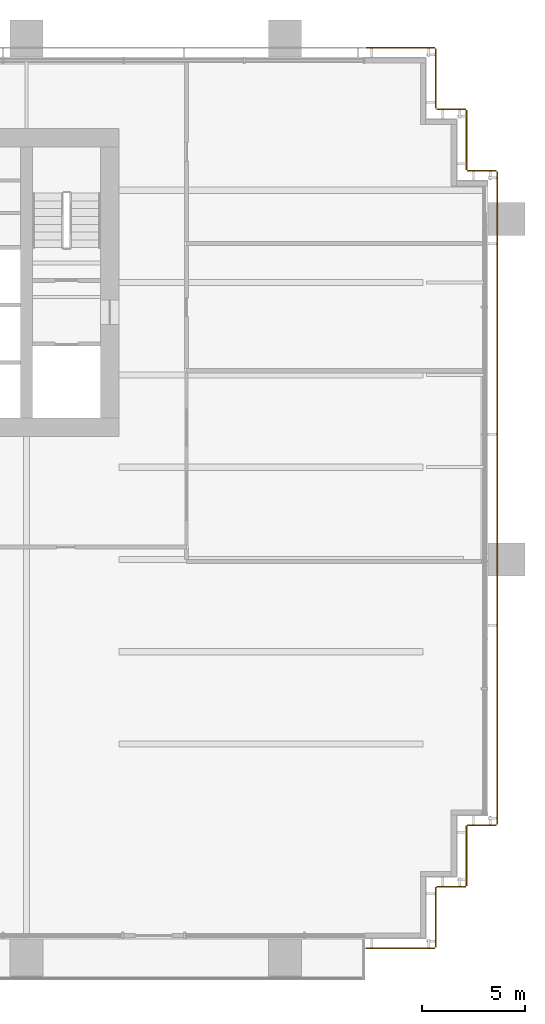
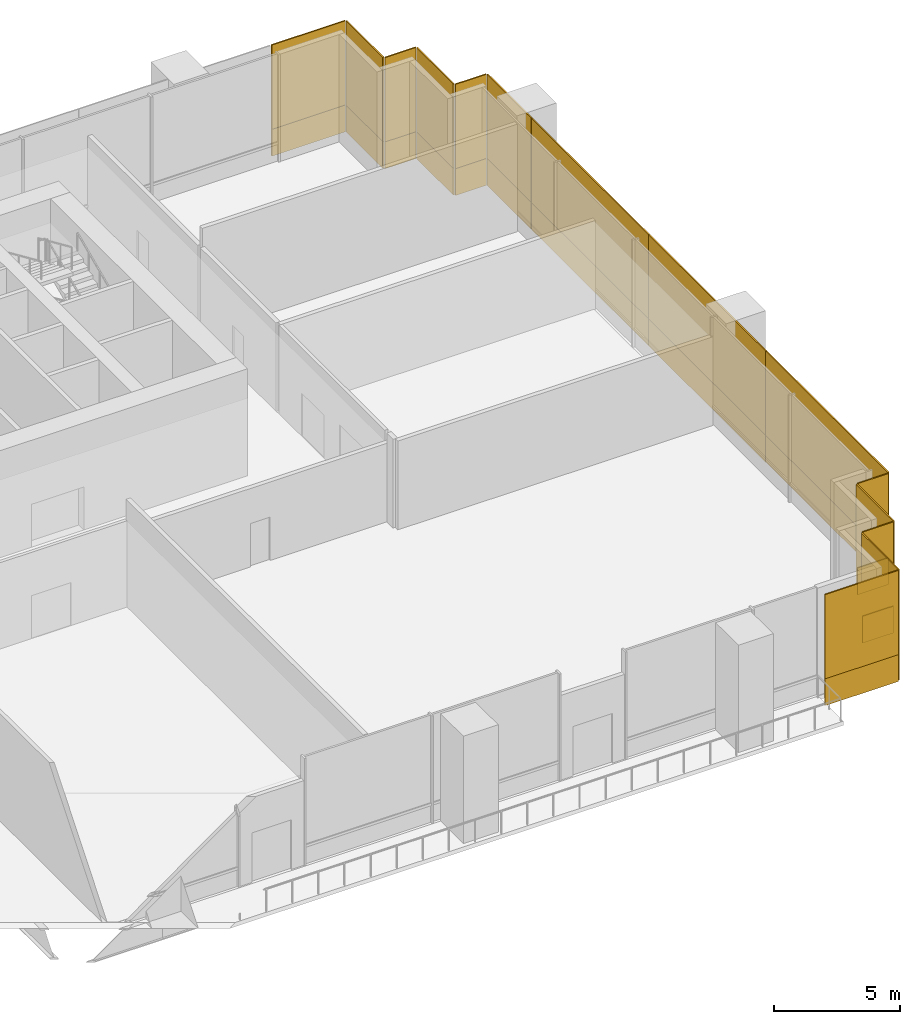
# One storey, part 15 of 15: 28 coverings.
"""IFC4 building model written with IfcOpenShell, lengths in metres."""

import ifcopenshell
import ifcopenshell.guid

model = None  # the IFC model being written
_history = None  # IfcOwnerHistory: only IFC2X3 demands one
_inside = {}  # id of a spatial element -> (the spatial element, [elements in it])
_under = {}  # id of a project, library or spatial element -> (it, [spatial elements below it])
_declared = {}  # id of a project -> (the project, [libraries it declares])
_typed = {}  # id of a type object -> (the type object, [elements of that type])
_made_of = {}  # id of a material, layer set ... -> (it, [elements and type objects made of it])


def new_model(schema):
    """Start an empty IFC model of exactly this schema.

    Asked for "IFC4X3", IfcOpenShell would pick the latest addendum, in which some entities
    have other attributes; the version numbers below select the first issue.
    IFC2X3 requires an IfcOwnerHistory on every rooted entity: one is made here for all.
    """
    global model, _history
    if schema == "IFC4X3":
        model = ifcopenshell.file(schema_version=(4, 3, 0, 0))
    else:
        model = ifcopenshell.file(schema=schema)
    _inside.clear()
    _under.clear()
    _declared.clear()
    _typed.clear()
    _made_of.clear()
    _history = None
    if model.schema == "IFC2X3":
        org = make("IfcOrganization", Name="unknown")
        user = make(
            "IfcPersonAndOrganization",
            ThePerson=make("IfcPerson", FamilyName="unknown"),
            TheOrganization=org,
        )
        app = make(
            "IfcApplication",
            ApplicationDeveloper=org,
            Version="unknown",
            ApplicationFullName="unknown",
            ApplicationIdentifier="unknown",
        )
        _history = make(
            "IfcOwnerHistory",
            OwningUser=user,
            OwningApplication=app,
            ChangeAction="ADDED",
            CreationDate=0,
        )
    return model


def make(cls, **values):
    """One entity of the class cls with the attributes given. An attribute that is None is left unset."""
    return model.create_entity(
        cls, **{name: value for name, value in values.items() if value is not None}
    )


def rooted(cls, **values):
    """An entity with a GlobalId (a new one), such as an element, a storey or a relation."""
    return make(cls, GlobalId=ifcopenshell.guid.new(), OwnerHistory=_history, **values)


def si_unit(unit_type, name, prefix=None):
    """IfcSIUnit, for example si_unit("LENGTHUNIT", "METRE", prefix="MILLI")."""
    return make("IfcSIUnit", UnitType=unit_type, Prefix=prefix, Name=name)


def assignment(units):
    """IfcUnitAssignment: the units of a project."""
    return None if units is None else make("IfcUnitAssignment", Units=units)


def point(xyz):
    """IfcCartesianPoint."""
    return None if xyz is None else make("IfcCartesianPoint", Coordinates=xyz)


def direction(xyz):
    """IfcDirection."""
    return None if xyz is None else make("IfcDirection", DirectionRatios=xyz)


def frame(location, z_axis=None, x_axis=None):
    """IfcAxis2Placement3D, a coordinate frame: its origin and axes. An axis left out is left unset."""
    return make(
        "IfcAxis2Placement3D",
        Location=point(location),
        Axis=direction(z_axis),
        RefDirection=direction(x_axis),
    )


def frame_2d(location, x_axis=None):
    """IfcAxis2Placement2D, a coordinate frame in the plane: its origin and x axis."""
    return make(
        "IfcAxis2Placement2D", Location=point(location), RefDirection=direction(x_axis)
    )


def origin():
    """The frame at (0, 0, 0) with its axes left unset."""
    return frame((0.0, 0.0, 0.0))


def origin_2d():
    """The frame at (0, 0) in the plane with its x axis left unset."""
    return frame_2d((0.0, 0.0))


def place(relative_to, where):
    """IfcLocalPlacement: puts the frame where relative to a parent placement (None: the world)."""
    return make(
        "IfcLocalPlacement", PlacementRelTo=relative_to, RelativePlacement=where
    )


def context(
    kind, dimensions, precision=None, world=None, true_north=None, identifier=None
):
    """IfcGeometricRepresentationContext, for example the 3D "Model" context."""
    return make(
        "IfcGeometricRepresentationContext",
        ContextIdentifier=identifier,
        ContextType=kind,
        CoordinateSpaceDimension=dimensions,
        Precision=precision,
        WorldCoordinateSystem=world,
        TrueNorth=true_north,
    )


def subcontext(parent, identifier, kind, view, scale=None):
    """IfcGeometricRepresentationSubContext, for example "Body" below "Model"."""
    return make(
        "IfcGeometricRepresentationSubContext",
        ContextIdentifier=identifier,
        ContextType=kind,
        ParentContext=parent,
        TargetScale=scale,
        TargetView=view,
    )


def project(units=None, contexts=None):
    """IfcProject with its units and contexts."""
    return rooted(
        "IfcProject",
        Name="project",
        RepresentationContexts=contexts,
        UnitsInContext=assignment(units),
    )


def spatial(cls, under=None, at=None, **own):
    """A site, building, storey or space (cls), placed at a placement, below another one or the project."""
    s = rooted(cls, ObjectPlacement=at, **own)
    if under is not None:
        _under.setdefault(under.id(), (under, []))[1].append(s)
    return s


def profile(cls, at=None, kind="AREA", **sizes):
    """A parametric profile (cls). Its sizes go by their IFC names, for example OverallWidth=200.0."""
    return make(cls, ProfileType=kind, Position=at, **sizes)


def rectangle(**sizes):
    """IfcRectangleProfileDef."""
    return profile("IfcRectangleProfileDef", **sizes)


def extrude(swept, where, along, depth):
    """IfcExtrudedAreaSolid: the profile swept, set in the frame where, extruded along a direction by depth."""
    return make(
        "IfcExtrudedAreaSolid",
        SweptArea=swept,
        Position=where,
        ExtrudedDirection=direction(along),
        Depth=depth,
    )


def shape(context_of_items, identifier, shape_type, items):
    """IfcShapeRepresentation: the items that make up one representation, for example the "Body"."""
    return make(
        "IfcShapeRepresentation",
        ContextOfItems=context_of_items,
        RepresentationIdentifier=identifier,
        RepresentationType=shape_type,
        Items=items,
    )


def material(Name=None, Category=None):
    """IfcMaterial."""
    return make("IfcMaterial", Name=Name, Category=Category)


def layer(
    of_material, thickness, ventilated=None, Name=None, Category=None, Priority=None
):
    """IfcMaterialLayer: one layer of a wall or slab, of a material (None: an air gap)."""
    return make(
        "IfcMaterialLayer",
        Material=of_material,
        LayerThickness=thickness,
        IsVentilated=ventilated,
        Name=Name,
        Category=Category,
        Priority=Priority,
    )


def layer_set(layers, Name=None):
    """IfcMaterialLayerSet."""
    return make("IfcMaterialLayerSet", MaterialLayers=layers, LayerSetName=Name)


def made_of(thing, what):
    """Note that an element or type object is made of a material, layer set ...; save() writes the relation."""
    if what is not None:
        _made_of.setdefault(what.id(), (what, []))[1].append(thing)
    return thing


def type_object(cls, material=None, **own):
    """A type object (cls), such as IfcWallType, which elements share."""
    return made_of(rooted(cls, **own), material)


def element(
    cls,
    number,
    at=None,
    inside=None,
    cuts=None,
    type_object=None,
    material=None,
    context=None,
    identifier="Body",
    shape_type=None,
    held_by="IfcProductDefinitionShape",
    body=None,
    shapes=None,
    **own,
):
    """One element of the class cls, such as IfcWall. Its Tag is "e" and its number.

    at: its placement. inside: the storey or other place that contains it. cuts: it is an
    opening in that element (IfcRelVoidsElement). A single representation is given by context,
    identifier, shape_type and body (its items); several are given by shapes. held_by: the class
    of the entity that holds the representations. save() writes the other relations.
    """
    e = rooted(cls, Tag="e%d" % number, ObjectPlacement=at, **own)
    if body is not None:
        shapes = [shape(context, identifier, shape_type, body)]
    if shapes is not None:
        e.Representation = make(held_by, Representations=shapes)
    if inside is not None:
        _inside.setdefault(inside.id(), (inside, []))[1].append(e)
    if cuts is not None:
        rooted(
            "IfcRelVoidsElement", RelatingBuildingElement=cuts, RelatedOpeningElement=e
        )
    if type_object is not None:
        _typed.setdefault(type_object.id(), (type_object, []))[1].append(e)
    return made_of(e, material)


def aggregate(whole, parts):
    """IfcRelAggregates: a whole, such as a stair, and the parts it consists of."""
    return rooted("IfcRelAggregates", RelatingObject=whole, RelatedObjects=parts)


def save(model, path):
    """Write the relations noted so far, then the file.

    IfcRelAggregates (storeys below a building ...), IfcRelContainedInSpatialStructure (elements
    in a storey), IfcRelDefinesByType, IfcRelAssociatesMaterial and IfcRelDeclares: one each for
    every whole, place, type object, material and project.
    """
    for whole, parts in _under.values():
        aggregate(whole, parts)
    for where, things in _inside.values():
        rooted(
            "IfcRelContainedInSpatialStructure",
            RelatedElements=things,
            RelatingStructure=where,
        )
    for kind, things in _typed.values():
        rooted("IfcRelDefinesByType", RelatedObjects=things, RelatingType=kind)
    for what, things in _made_of.values():
        rooted("IfcRelAssociatesMaterial", RelatedObjects=things, RelatingMaterial=what)
    for by, libraries in _declared.values():
        rooted("IfcRelDeclares", RelatingContext=by, RelatedDefinitions=libraries)
    model.write(path)


model = new_model("IFC4")

# Units and contexts
model_context = context("Model", 3, precision=1e-05, world=origin(), true_north=direction((0.0, 1.0)))
body_context = subcontext(model_context, "Body", "Model", "MODEL_VIEW")
ifc_project = project(units=[si_unit("LENGTHUNIT", "METRE"), si_unit("AREAUNIT", "SQUARE_METRE"), si_unit("VOLUMEUNIT", "CUBIC_METRE"), si_unit("PLANEANGLEUNIT", "RADIAN"), si_unit("MASSUNIT", "GRAM", prefix="KILO")], contexts=[model_context])

# Site, building, storey
site_placement = place(None, origin())
site = spatial("IfcSite", under=ifc_project, at=site_placement, CompositionType="ELEMENT")
building_placement = place(site_placement, origin())
building = spatial("IfcBuilding", under=site, at=building_placement, Name="Rattan Terrace Tower", CompositionType="ELEMENT")
storey_placement = place(building_placement, frame((0.0, 0.0, 74.300048828125)))
storey = spatial("IfcBuildingStorey", under=building, at=storey_placement, Name="L16", CompositionType="ELEMENT", Elevation=74.300048828125)

# Coverings
ifc_material_1 = material(Name="Solid terracotta", Category="masonry")
ifc_layer_1 = layer(ifc_material_1, 0.06005859375)
ifc_layer_set_1 = layer_set([ifc_layer_1], Name="Facade Terracotta Band Panel")
covering_type_1 = type_object("IfcCoveringType", Name="Facade Terracotta Band Panel", PredefinedType="CLADDING", material=ifc_layer_set_1)
covering_1_placement = place(storey_placement, frame((31.72509765625, -32.449951171875, -0.18994140625), z_axis=(0.0, 0.0, 1.0), x_axis=(1.0, 0.0, 0.0)))
element("IfcCovering", 1, at=covering_1_placement, inside=storey, type_object=covering_type_1, Name="OUTER SKIN panel L16-1A", PredefinedType="CLADDING", context=body_context, shape_type="SweptSolid", body=[
    extrude(rectangle(XDim=3.3701171875, YDim=0.06005859375, at=origin_2d()), origin(), (0.0, 0.0, 1.0), 1.300048828125),
])
covering_2_placement = place(storey_placement, frame((33.449951171875, -30.949951171875, -0.18994140625), z_axis=(0.0, 0.0, 1.0), x_axis=(0.0, 1.0, 0.0)))
element("IfcCovering", 2, at=covering_2_placement, inside=storey, type_object=covering_type_1, Name="OUTER SKIN panel L16-2A", PredefinedType="CLADDING", context=body_context, shape_type="SweptSolid", body=[
    extrude(rectangle(XDim=2.919921875, YDim=0.06005859375, at=origin_2d()), origin(), (0.0, 0.0, 1.0), 1.300048828125),
])
covering_3_placement = place(storey_placement, frame((34.199951171875, -29.449951171875, -0.18994140625), z_axis=(0.0, 0.0, 1.0), x_axis=(1.0, 0.0, 0.0)))
element("IfcCovering", 3, at=covering_3_placement, inside=storey, type_object=covering_type_1, Name="OUTER SKIN panel L16-3A", PredefinedType="CLADDING", context=body_context, shape_type="SweptSolid", body=[
    extrude(rectangle(XDim=1.419921875, YDim=0.06005859375, at=origin_2d()), origin(), (0.0, 0.0, 1.0), 1.300048828125),
])
covering_4_placement = place(storey_placement, frame((34.949951171875, -27.949951171875, -0.18994140625), z_axis=(0.0, 0.0, 1.0), x_axis=(0.0, 1.0, 0.0)))
element("IfcCovering", 4, at=covering_4_placement, inside=storey, type_object=covering_type_1, Name="OUTER SKIN panel L16-4A", PredefinedType="CLADDING", context=body_context, shape_type="SweptSolid", body=[
    extrude(rectangle(XDim=2.919921875, YDim=0.06005859375, at=origin_2d()), origin(), (0.0, 0.0, 1.0), 1.300048828125),
])
covering_5_placement = place(storey_placement, frame((35.699951171875, -26.449951171875, -0.18994140625), z_axis=(0.0, 0.0, 1.0), x_axis=(1.0, 0.0, 0.0)))
element("IfcCovering", 5, at=covering_5_placement, inside=storey, type_object=covering_type_1, Name="OUTER SKIN panel L16-5A", PredefinedType="CLADDING", context=body_context, shape_type="SweptSolid", body=[
    extrude(rectangle(XDim=1.419921875, YDim=0.06005859375, at=origin_2d()), origin(), (0.0, 0.0, 1.0), 1.300048828125),
])
covering_6_placement = place(storey_placement, frame((36.449951171875, -21.56005859375, -0.18994140625), z_axis=(0.0, 0.0, 1.0), x_axis=(0.0, 1.0, 0.0)))
element("IfcCovering", 6, at=covering_6_placement, inside=storey, type_object=covering_type_1, Name="OUTER SKIN panel L16-6A", PredefinedType="CLADDING", context=body_context, shape_type="SweptSolid", body=[
    extrude(rectangle(XDim=9.699951171875, YDim=0.06005859375, at=origin_2d()), origin(), (0.0, 0.0, 1.0), 1.300048828125),
])
for number, where, z_axis, x_axis, name in (
    (7, (36.449951171875, -12.050048828125, -0.18994140625), (0.0, 0.0, 1.0), (0.0, 1.0, 0.0), "OUTER SKIN panel L16-7A"),
    (8, (36.449951171875, -2.75, -0.18994140625), (0.0, 0.0, 1.0), (0.0, 1.0, 0.0), "OUTER SKIN panel L16-8A"),
):
    element("IfcCovering", number, at=place(storey_placement, frame(where, z_axis=z_axis, x_axis=x_axis)), inside=storey, type_object=covering_type_1, Name=name, PredefinedType="CLADDING", context=body_context, shape_type="SweptSolid", body=[
        extrude(rectangle(XDim=9.280029296875, YDim=0.06005859375, at=origin_2d()), origin(), (0.0, 0.0, 1.0), 1.300048828125),
    ])
covering_7_placement = place(storey_placement, frame((36.449951171875, 3.659912109375, -0.18994140625), z_axis=(0.0, 0.0, 1.0), x_axis=(0.0, 1.0, 0.0)))
element("IfcCovering", 9, at=covering_7_placement, inside=storey, type_object=covering_type_1, Name="OUTER SKIN panel L16-9A", PredefinedType="CLADDING", context=body_context, shape_type="SweptSolid", body=[
    extrude(rectangle(XDim=3.5, YDim=0.06005859375, at=origin_2d()), origin(), (0.0, 0.0, 1.0), 1.300048828125),
])
covering_8_placement = place(storey_placement, frame((35.699951171875, 5.449951171875, -0.18994140625), z_axis=(0.0, 0.0, 1.0), x_axis=(-1.0, 0.0, 0.0)))
element("IfcCovering", 10, at=covering_8_placement, inside=storey, type_object=covering_type_1, Name="OUTER SKIN panel L16-10A", PredefinedType="CLADDING", context=body_context, shape_type="SweptSolid", body=[
    extrude(rectangle(XDim=1.419921875, YDim=0.06005859375, at=origin_2d()), origin(), (0.0, 0.0, 1.0), 1.300048828125),
])
covering_9_placement = place(storey_placement, frame((34.949951171875, 6.949951171875, -0.18994140625), z_axis=(0.0, 0.0, 1.0), x_axis=(0.0, 1.0, 0.0)))
element("IfcCovering", 11, at=covering_9_placement, inside=storey, type_object=covering_type_1, Name="OUTER SKIN panel L16-11A", PredefinedType="CLADDING", context=body_context, shape_type="SweptSolid", body=[
    extrude(rectangle(XDim=2.919921875, YDim=0.06005859375, at=origin_2d()), origin(), (0.0, 0.0, 1.0), 1.300048828125),
])
covering_10_placement = place(storey_placement, frame((34.199951171875, 8.449951171875, -0.18994140625), z_axis=(0.0, 0.0, 1.0), x_axis=(-1.0, 0.0, 0.0)))
element("IfcCovering", 12, at=covering_10_placement, inside=storey, type_object=covering_type_1, Name="OUTER SKIN panel L16-12A", PredefinedType="CLADDING", context=body_context, shape_type="SweptSolid", body=[
    extrude(rectangle(XDim=1.419921875, YDim=0.06005859375, at=origin_2d()), origin(), (0.0, 0.0, 1.0), 1.300048828125),
])
covering_11_placement = place(storey_placement, frame((33.449951171875, 9.949951171875, -0.18994140625), z_axis=(0.0, 0.0, 1.0), x_axis=(0.0, 1.0, 0.0)))
element("IfcCovering", 13, at=covering_11_placement, inside=storey, type_object=covering_type_1, Name="OUTER SKIN panel L16-13A", PredefinedType="CLADDING", context=body_context, shape_type="SweptSolid", body=[
    extrude(rectangle(XDim=2.919921875, YDim=0.06005859375, at=origin_2d()), origin(), (0.0, 0.0, 1.0), 1.300048828125),
])
covering_12_placement = place(storey_placement, frame((31.72509765625, 11.449951171875, -0.18994140625), z_axis=(0.0, 0.0, 1.0), x_axis=(-1.0, 0.0, 0.0)))
element("IfcCovering", 14, at=covering_12_placement, inside=storey, type_object=covering_type_1, Name="OUTER SKIN panel L16-14A", PredefinedType="CLADDING", context=body_context, shape_type="SweptSolid", body=[
    extrude(rectangle(XDim=3.3701171875, YDim=0.06005859375, at=origin_2d()), origin(), (0.0, 0.0, 1.0), 1.300048828125),
])
ifc_material_2 = material(Name="Perforated terracotta", Category="masonry")
ifc_layer_2 = layer(ifc_material_2, 0.06005859375)
ifc_layer_set_2 = layer_set([ifc_layer_2], Name="Facade Terracotta Screen Panel")
covering_type_2 = type_object("IfcCoveringType", Name="Facade Terracotta Screen Panel", PredefinedType="CLADDING", material=ifc_layer_set_2)
covering_13_placement = place(storey_placement, frame((31.72509765625, -32.449951171875, 1.10986328125), z_axis=(0.0, 0.0, 1.0), x_axis=(1.0, 0.0, 0.0)))
element("IfcCovering", 15, at=covering_13_placement, inside=storey, type_object=covering_type_2, Name="OUTER SKIN panel L16-1B", PredefinedType="CLADDING", context=body_context, shape_type="SweptSolid", body=[
    extrude(rectangle(XDim=3.3701171875, YDim=0.06005859375, at=origin_2d()), origin(), (0.0, 0.0, 1.0), 4.080078125),
])
covering_14_placement = place(storey_placement, frame((33.449951171875, -30.949951171875, 1.10986328125), z_axis=(0.0, 0.0, 1.0), x_axis=(0.0, 1.0, 0.0)))
element("IfcCovering", 16, at=covering_14_placement, inside=storey, type_object=covering_type_2, Name="OUTER SKIN panel L16-2B", PredefinedType="CLADDING", context=body_context, shape_type="SweptSolid", body=[
    extrude(rectangle(XDim=2.919921875, YDim=0.06005859375, at=origin_2d()), origin(), (0.0, 0.0, 1.0), 4.080078125),
])
covering_15_placement = place(storey_placement, frame((34.199951171875, -29.449951171875, 1.10986328125), z_axis=(0.0, 0.0, 1.0), x_axis=(1.0, 0.0, 0.0)))
element("IfcCovering", 17, at=covering_15_placement, inside=storey, type_object=covering_type_2, Name="OUTER SKIN panel L16-3B", PredefinedType="CLADDING", context=body_context, shape_type="SweptSolid", body=[
    extrude(rectangle(XDim=1.419921875, YDim=0.06005859375, at=origin_2d()), origin(), (0.0, 0.0, 1.0), 4.080078125),
])
covering_16_placement = place(storey_placement, frame((34.949951171875, -27.949951171875, 1.10986328125), z_axis=(0.0, 0.0, 1.0), x_axis=(0.0, 1.0, 0.0)))
element("IfcCovering", 18, at=covering_16_placement, inside=storey, type_object=covering_type_2, Name="OUTER SKIN panel L16-4B", PredefinedType="CLADDING", context=body_context, shape_type="SweptSolid", body=[
    extrude(rectangle(XDim=2.919921875, YDim=0.06005859375, at=origin_2d()), origin(), (0.0, 0.0, 1.0), 4.080078125),
])
covering_17_placement = place(storey_placement, frame((35.699951171875, -26.449951171875, 1.10986328125), z_axis=(0.0, 0.0, 1.0), x_axis=(1.0, 0.0, 0.0)))
element("IfcCovering", 19, at=covering_17_placement, inside=storey, type_object=covering_type_2, Name="OUTER SKIN panel L16-5B", PredefinedType="CLADDING", context=body_context, shape_type="SweptSolid", body=[
    extrude(rectangle(XDim=1.419921875, YDim=0.06005859375, at=origin_2d()), origin(), (0.0, 0.0, 1.0), 4.080078125),
])
covering_18_placement = place(storey_placement, frame((36.449951171875, -21.56005859375, 1.10986328125), z_axis=(0.0, 0.0, 1.0), x_axis=(0.0, 1.0, 0.0)))
element("IfcCovering", 20, at=covering_18_placement, inside=storey, type_object=covering_type_2, Name="OUTER SKIN panel L16-6B", PredefinedType="CLADDING", context=body_context, shape_type="SweptSolid", body=[
    extrude(rectangle(XDim=9.699951171875, YDim=0.06005859375, at=origin_2d()), origin(), (0.0, 0.0, 1.0), 4.080078125),
])
for number, where, z_axis, x_axis, name in (
    (21, (36.449951171875, -12.050048828125, 1.10986328125), (0.0, 0.0, 1.0), (0.0, 1.0, 0.0), "OUTER SKIN panel L16-7B"),
    (22, (36.449951171875, -2.75, 1.10986328125), (0.0, 0.0, 1.0), (0.0, 1.0, 0.0), "OUTER SKIN panel L16-8B"),
):
    element("IfcCovering", number, at=place(storey_placement, frame(where, z_axis=z_axis, x_axis=x_axis)), inside=storey, type_object=covering_type_2, Name=name, PredefinedType="CLADDING", context=body_context, shape_type="SweptSolid", body=[
        extrude(rectangle(XDim=9.280029296875, YDim=0.06005859375, at=origin_2d()), origin(), (0.0, 0.0, 1.0), 4.080078125),
    ])
covering_19_placement = place(storey_placement, frame((36.449951171875, 3.659912109375, 1.10986328125), z_axis=(0.0, 0.0, 1.0), x_axis=(0.0, 1.0, 0.0)))
element("IfcCovering", 23, at=covering_19_placement, inside=storey, type_object=covering_type_2, Name="OUTER SKIN panel L16-9B", PredefinedType="CLADDING", context=body_context, shape_type="SweptSolid", body=[
    extrude(rectangle(XDim=3.5, YDim=0.06005859375, at=origin_2d()), origin(), (0.0, 0.0, 1.0), 4.080078125),
])
covering_20_placement = place(storey_placement, frame((35.699951171875, 5.449951171875, 1.10986328125), z_axis=(0.0, 0.0, 1.0), x_axis=(-1.0, 0.0, 0.0)))
element("IfcCovering", 24, at=covering_20_placement, inside=storey, type_object=covering_type_2, Name="OUTER SKIN panel L16-10B", PredefinedType="CLADDING", context=body_context, shape_type="SweptSolid", body=[
    extrude(rectangle(XDim=1.419921875, YDim=0.06005859375, at=origin_2d()), origin(), (0.0, 0.0, 1.0), 4.080078125),
])
covering_21_placement = place(storey_placement, frame((34.949951171875, 6.949951171875, 1.10986328125), z_axis=(0.0, 0.0, 1.0), x_axis=(0.0, 1.0, 0.0)))
element("IfcCovering", 25, at=covering_21_placement, inside=storey, type_object=covering_type_2, Name="OUTER SKIN panel L16-11B", PredefinedType="CLADDING", context=body_context, shape_type="SweptSolid", body=[
    extrude(rectangle(XDim=2.919921875, YDim=0.06005859375, at=origin_2d()), origin(), (0.0, 0.0, 1.0), 4.080078125),
])
covering_22_placement = place(storey_placement, frame((34.199951171875, 8.449951171875, 1.10986328125), z_axis=(0.0, 0.0, 1.0), x_axis=(-1.0, 0.0, 0.0)))
element("IfcCovering", 26, at=covering_22_placement, inside=storey, type_object=covering_type_2, Name="OUTER SKIN panel L16-12B", PredefinedType="CLADDING", context=body_context, shape_type="SweptSolid", body=[
    extrude(rectangle(XDim=1.419921875, YDim=0.06005859375, at=origin_2d()), origin(), (0.0, 0.0, 1.0), 4.080078125),
])
covering_23_placement = place(storey_placement, frame((33.449951171875, 9.949951171875, 1.10986328125), z_axis=(0.0, 0.0, 1.0), x_axis=(0.0, 1.0, 0.0)))
element("IfcCovering", 27, at=covering_23_placement, inside=storey, type_object=covering_type_2, Name="OUTER SKIN panel L16-13B", PredefinedType="CLADDING", context=body_context, shape_type="SweptSolid", body=[
    extrude(rectangle(XDim=2.919921875, YDim=0.06005859375, at=origin_2d()), origin(), (0.0, 0.0, 1.0), 4.080078125),
])
covering_24_placement = place(storey_placement, frame((31.72509765625, 11.449951171875, 1.10986328125), z_axis=(0.0, 0.0, 1.0), x_axis=(-1.0, 0.0, 0.0)))
element("IfcCovering", 28, at=covering_24_placement, inside=storey, type_object=covering_type_2, Name="OUTER SKIN panel L16-14B", PredefinedType="CLADDING", context=body_context, shape_type="SweptSolid", body=[
    extrude(rectangle(XDim=3.3701171875, YDim=0.06005859375, at=origin_2d()), origin(), (0.0, 0.0, 1.0), 4.080078125),
])

save(model, "model.ifc")
